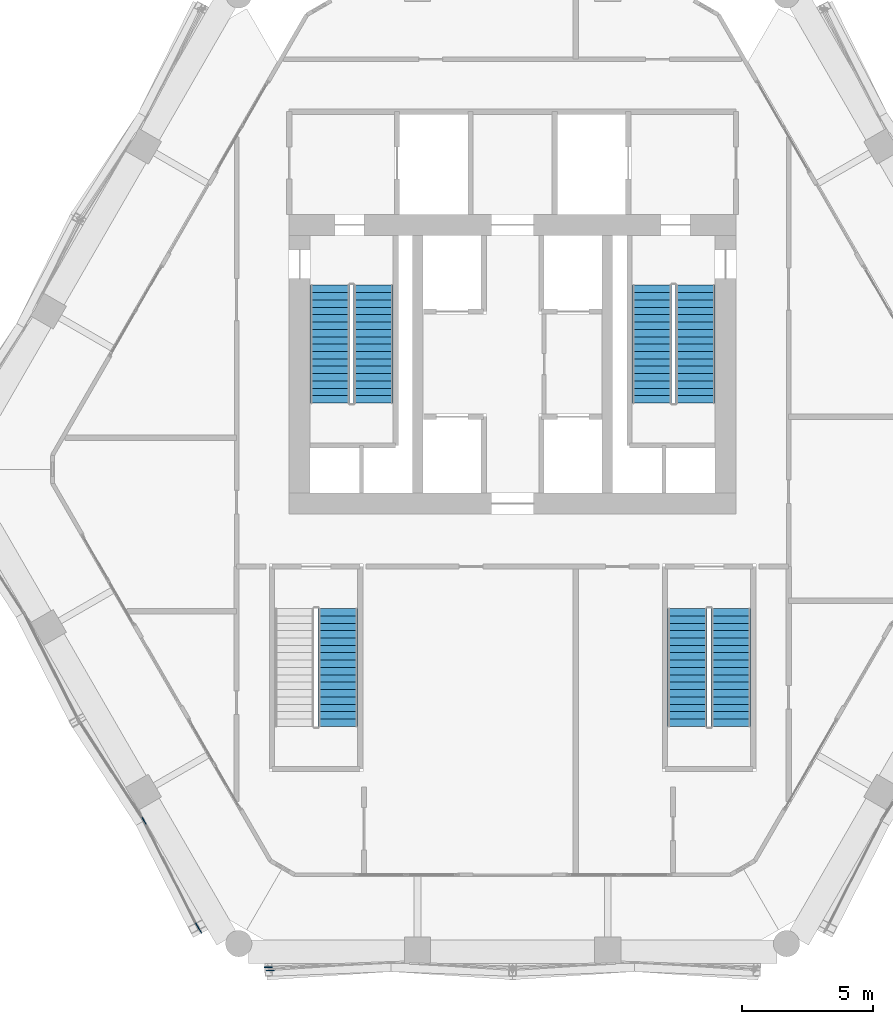
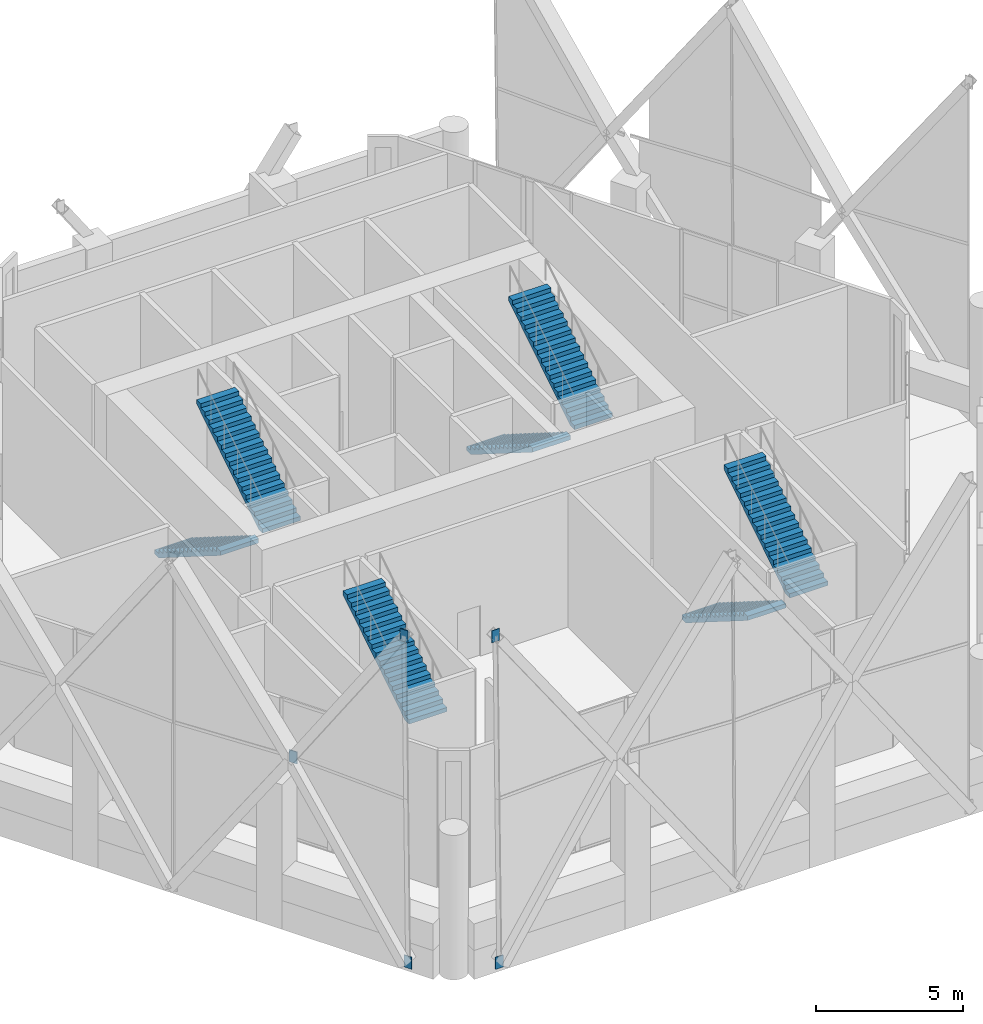
# One storey, part 38 of 43: 7 stair flights, 5 discrete accessories, 4 elements without a shape of their own.
"""IFC4 building model written with IfcOpenShell, lengths in metres."""

from ifc_helpers import new_model, si_unit, direction, frame, origin, origin_2d, place, context, subcontext, project, spatial, polyline, rectangle, outline, extrude, material, layer, layer_set, type_object, element, aggregate, save


model = new_model("IFC4")

# Units and contexts
model_context = context("Model", 3, precision=1e-05, world=origin(), true_north=direction((0.0, 1.0)))
body_context = subcontext(model_context, "Body", "Model", "MODEL_VIEW")
ifc_project = project(units=[si_unit("LENGTHUNIT", "METRE"), si_unit("AREAUNIT", "SQUARE_METRE"), si_unit("VOLUMEUNIT", "CUBIC_METRE"), si_unit("PLANEANGLEUNIT", "RADIAN"), si_unit("MASSUNIT", "GRAM", prefix="KILO")], contexts=[model_context])

# Site, building, storey
site_placement = place(None, origin())
site = spatial("IfcSite", under=ifc_project, at=site_placement, CompositionType="ELEMENT")
building_placement = place(site_placement, origin())
building = spatial("IfcBuilding", under=site, at=building_placement, Name="Ostrander Bayou Hotel Tower", CompositionType="ELEMENT")
storey_placement = place(building_placement, frame((0.0, 0.0, 151.0)))
storey = spatial("IfcBuildingStorey", under=building, at=storey_placement, Name="L37", CompositionType="ELEMENT", Elevation=151.0)

# Stair, stair flights
ifc_material_1 = material(Name="Concrete f'c 45 MPa", Category="concrete")
stair_type = type_object("IfcStairType", Name="ST1 exit stair 1500 mm f'c 45 MPa", PredefinedType="HALF_TURN_STAIR", material=ifc_material_1)
stair_1_placement = place(storey_placement, origin())
stair_1 = element("IfcStair", 1, at=stair_1_placement, inside=storey, type_object=stair_type, Name="L37 exit stair A", PredefinedType="HALF_TURN_STAIR")
ifc_material_2 = material(Name="Concrete f'c 45 MPa", Category="concrete")
stair_flight_type = type_object("IfcStairFlightType", Name="SF1 stair flight 1500 mm f'c 45 MPa", PredefinedType="STRAIGHT", material=ifc_material_2)
stair_flight_1_placement = place(storey_placement, frame((-6.949951171875, 7.0, 0.0), z_axis=(0.0, 0.0, 1.0), x_axis=(0.0, -1.0, 0.0)))
stair_flight_1 = element("IfcStairFlight", 2, at=stair_flight_1_placement, type_object=stair_flight_type, Name="STA flight 1", NumberOfRisers=17, NumberOfTreads=16, PredefinedType="STRAIGHT", RiserHeight=0.176470588, TreadLength=0.28, context=body_context, shape_type="SweptSolid", body=[
    extrude(outline(polyline([(0.0, 0.0), (0.0, 0.176513671875), (0.280029296875, 0.176513671875), (0.280029296875, 0.35302734375), (0.56005859375, 0.35302734375), (0.56005859375, 0.529296875), (0.840087890625, 0.529296875), (0.840087890625, 0.705810546875), (1.1201171875, 0.705810546875), (1.1201171875, 0.88232421875), (1.39990234375, 0.88232421875), (1.39990234375, 1.058837890625), (1.679931640625, 1.058837890625), (1.679931640625, 1.2353515625), (1.9599609375, 1.2353515625), (1.9599609375, 1.411865234375), (2.239990234375, 1.411865234375), (2.239990234375, 1.588134765625), (2.52001953125, 1.588134765625), (2.52001953125, 1.7646484375), (2.800048828125, 1.7646484375), (2.800048828125, 1.941162109375), (3.080078125, 1.941162109375), (3.080078125, 2.11767578125), (3.360107421875, 2.11767578125), (3.360107421875, 2.294189453125), (3.639892578125, 2.294189453125), (3.639892578125, 2.470703125), (3.919921875, 2.470703125), (3.919921875, 2.64697265625), (4.199951171875, 2.64697265625), (4.199951171875, 2.823486328125), (4.47998046875, 2.823486328125), (4.47998046875, 3.0), (4.47998046875, 2.646240234375), (0.28125, 0.0), (0.0, 0.0)])), frame((0.0, 0.75, 0.0), z_axis=(0.0, -1.0, 0.0), x_axis=(1.0, 0.0, 0.0)), (0.0, 0.0, 1.0), 1.5),
])
stair_flight_2_placement = place(storey_placement, frame((-5.300048828125, 2.52001953125, 3.0), z_axis=(0.0, 0.0, 1.0), x_axis=(0.0, 1.0, 0.0)))
stair_flight_2 = element("IfcStairFlight", 3, at=stair_flight_2_placement, type_object=stair_flight_type, Name="STA flight 2", NumberOfRisers=17, NumberOfTreads=16, PredefinedType="STRAIGHT", RiserHeight=0.176470588, TreadLength=0.28, context=body_context, shape_type="SweptSolid", body=[
    extrude(outline(polyline([(0.0, 0.0), (0.0, 0.176513671875), (0.280029296875, 0.176513671875), (0.280029296875, 0.35302734375), (0.56005859375, 0.35302734375), (0.56005859375, 0.529296875), (0.840087890625, 0.529296875), (0.840087890625, 0.705810546875), (1.1201171875, 0.705810546875), (1.1201171875, 0.88232421875), (1.39990234375, 0.88232421875), (1.39990234375, 1.058837890625), (1.679931640625, 1.058837890625), (1.679931640625, 1.2353515625), (1.9599609375, 1.2353515625), (1.9599609375, 1.411865234375), (2.239990234375, 1.411865234375), (2.239990234375, 1.588134765625), (2.52001953125, 1.588134765625), (2.52001953125, 1.7646484375), (2.800048828125, 1.7646484375), (2.800048828125, 1.941162109375), (3.080078125, 1.941162109375), (3.080078125, 2.11767578125), (3.360107421875, 2.11767578125), (3.360107421875, 2.294189453125), (3.639892578125, 2.294189453125), (3.639892578125, 2.470703125), (3.919921875, 2.470703125), (3.919921875, 2.64697265625), (4.199951171875, 2.64697265625), (4.199951171875, 2.823486328125), (4.47998046875, 2.823486328125), (4.47998046875, 3.0), (4.47998046875, 2.646240234375), (0.28125, 0.0), (0.0, 0.0)])), frame((0.0, 0.75, 0.0), z_axis=(0.0, -1.0, 0.0), x_axis=(1.0, 0.0, 0.0)), (0.0, 0.0, 1.0), 1.5),
])
aggregate(stair_1, [stair_flight_1, stair_flight_2])

stair_2_placement = place(storey_placement, origin())
stair_2 = element("IfcStair", 4, at=stair_2_placement, inside=storey, type_object=stair_type, Name="L37 exit stair B", PredefinedType="HALF_TURN_STAIR")
stair_flight_3_placement = place(storey_placement, frame((5.300048828125, 7.0, 0.0), z_axis=(0.0, 0.0, 1.0), x_axis=(0.0, -1.0, 0.0)))
stair_flight_3 = element("IfcStairFlight", 5, at=stair_flight_3_placement, type_object=stair_flight_type, Name="STB flight 1", NumberOfRisers=17, NumberOfTreads=16, PredefinedType="STRAIGHT", RiserHeight=0.176470588, TreadLength=0.28, context=body_context, shape_type="SweptSolid", body=[
    extrude(outline(polyline([(0.0, 0.0), (0.0, 0.176513671875), (0.280029296875, 0.176513671875), (0.280029296875, 0.35302734375), (0.56005859375, 0.35302734375), (0.56005859375, 0.529296875), (0.840087890625, 0.529296875), (0.840087890625, 0.705810546875), (1.1201171875, 0.705810546875), (1.1201171875, 0.88232421875), (1.39990234375, 0.88232421875), (1.39990234375, 1.058837890625), (1.679931640625, 1.058837890625), (1.679931640625, 1.2353515625), (1.9599609375, 1.2353515625), (1.9599609375, 1.411865234375), (2.239990234375, 1.411865234375), (2.239990234375, 1.588134765625), (2.52001953125, 1.588134765625), (2.52001953125, 1.7646484375), (2.800048828125, 1.7646484375), (2.800048828125, 1.941162109375), (3.080078125, 1.941162109375), (3.080078125, 2.11767578125), (3.360107421875, 2.11767578125), (3.360107421875, 2.294189453125), (3.639892578125, 2.294189453125), (3.639892578125, 2.470703125), (3.919921875, 2.470703125), (3.919921875, 2.64697265625), (4.199951171875, 2.64697265625), (4.199951171875, 2.823486328125), (4.47998046875, 2.823486328125), (4.47998046875, 3.0), (4.47998046875, 2.646240234375), (0.28125, 0.0), (0.0, 0.0)])), frame((0.0, 0.75, 0.0), z_axis=(0.0, -1.0, 0.0), x_axis=(1.0, 0.0, 0.0)), (0.0, 0.0, 1.0), 1.5),
])
stair_flight_4_placement = place(storey_placement, frame((6.949951171875, 2.52001953125, 3.0), z_axis=(0.0, 0.0, 1.0), x_axis=(0.0, 1.0, 0.0)))
stair_flight_4 = element("IfcStairFlight", 6, at=stair_flight_4_placement, type_object=stair_flight_type, Name="STB flight 2", NumberOfRisers=17, NumberOfTreads=16, PredefinedType="STRAIGHT", RiserHeight=0.176470588, TreadLength=0.28, context=body_context, shape_type="SweptSolid", body=[
    extrude(outline(polyline([(0.0, 0.0), (0.0, 0.176513671875), (0.280029296875, 0.176513671875), (0.280029296875, 0.35302734375), (0.56005859375, 0.35302734375), (0.56005859375, 0.529296875), (0.840087890625, 0.529296875), (0.840087890625, 0.705810546875), (1.1201171875, 0.705810546875), (1.1201171875, 0.88232421875), (1.39990234375, 0.88232421875), (1.39990234375, 1.058837890625), (1.679931640625, 1.058837890625), (1.679931640625, 1.2353515625), (1.9599609375, 1.2353515625), (1.9599609375, 1.411865234375), (2.239990234375, 1.411865234375), (2.239990234375, 1.588134765625), (2.52001953125, 1.588134765625), (2.52001953125, 1.7646484375), (2.800048828125, 1.7646484375), (2.800048828125, 1.941162109375), (3.080078125, 1.941162109375), (3.080078125, 2.11767578125), (3.360107421875, 2.11767578125), (3.360107421875, 2.294189453125), (3.639892578125, 2.294189453125), (3.639892578125, 2.470703125), (3.919921875, 2.470703125), (3.919921875, 2.64697265625), (4.199951171875, 2.64697265625), (4.199951171875, 2.823486328125), (4.47998046875, 2.823486328125), (4.47998046875, 3.0), (4.47998046875, 2.646240234375), (0.28125, 0.0), (0.0, 0.0)])), frame((0.0, 0.75, 0.0), z_axis=(0.0, -1.0, 0.0), x_axis=(1.0, 0.0, 0.0)), (0.0, 0.0, 1.0), 1.5),
])
aggregate(stair_2, [stair_flight_3, stair_flight_4])

stair_3_placement = place(storey_placement, origin())
stair_3 = element("IfcStair", 7, at=stair_3_placement, inside=storey, type_object=stair_type, Name="L37 exit stair C", PredefinedType="HALF_TURN_STAIR")
stair_flight_5_placement = place(storey_placement, frame((6.64990234375, -5.300048828125, 0.0), z_axis=(0.0, 0.0, 1.0), x_axis=(0.0, -1.0, 0.0)))
stair_flight_5 = element("IfcStairFlight", 8, at=stair_flight_5_placement, type_object=stair_flight_type, Name="STC flight 1", NumberOfRisers=17, NumberOfTreads=16, PredefinedType="STRAIGHT", RiserHeight=0.176470588, TreadLength=0.28, context=body_context, shape_type="SweptSolid", body=[
    extrude(outline(polyline([(0.0, 0.0), (0.0, 0.176513671875), (0.280029296875, 0.176513671875), (0.280029296875, 0.35302734375), (0.56005859375, 0.35302734375), (0.56005859375, 0.529296875), (0.840087890625, 0.529296875), (0.840087890625, 0.705810546875), (1.1201171875, 0.705810546875), (1.1201171875, 0.88232421875), (1.39990234375, 0.88232421875), (1.39990234375, 1.058837890625), (1.679931640625, 1.058837890625), (1.679931640625, 1.2353515625), (1.9599609375, 1.2353515625), (1.9599609375, 1.411865234375), (2.239990234375, 1.411865234375), (2.239990234375, 1.588134765625), (2.52001953125, 1.588134765625), (2.52001953125, 1.7646484375), (2.800048828125, 1.7646484375), (2.800048828125, 1.941162109375), (3.080078125, 1.941162109375), (3.080078125, 2.11767578125), (3.360107421875, 2.11767578125), (3.360107421875, 2.294189453125), (3.639892578125, 2.294189453125), (3.639892578125, 2.470703125), (3.919921875, 2.470703125), (3.919921875, 2.64697265625), (4.199951171875, 2.64697265625), (4.199951171875, 2.823486328125), (4.47998046875, 2.823486328125), (4.47998046875, 3.0), (4.47998046875, 2.646240234375), (0.28125, 0.0), (0.0, 0.0)])), frame((0.0, 0.75, 0.0), z_axis=(0.0, -1.0, 0.0), x_axis=(1.0, 0.0, 0.0)), (0.0, 0.0, 1.0), 1.5),
])
stair_flight_6_placement = place(storey_placement, frame((8.300048828125, -9.780029296875, 3.0), z_axis=(0.0, 0.0, 1.0), x_axis=(0.0, 1.0, 0.0)))
stair_flight_6 = element("IfcStairFlight", 9, at=stair_flight_6_placement, type_object=stair_flight_type, Name="STC flight 2", NumberOfRisers=17, NumberOfTreads=16, PredefinedType="STRAIGHT", RiserHeight=0.176470588, TreadLength=0.28, context=body_context, shape_type="SweptSolid", body=[
    extrude(outline(polyline([(0.0, 0.0), (0.0, 0.176513671875), (0.280029296875, 0.176513671875), (0.280029296875, 0.35302734375), (0.56005859375, 0.35302734375), (0.56005859375, 0.529296875), (0.840087890625, 0.529296875), (0.840087890625, 0.705810546875), (1.1201171875, 0.705810546875), (1.1201171875, 0.88232421875), (1.39990234375, 0.88232421875), (1.39990234375, 1.058837890625), (1.679931640625, 1.058837890625), (1.679931640625, 1.2353515625), (1.9599609375, 1.2353515625), (1.9599609375, 1.411865234375), (2.239990234375, 1.411865234375), (2.239990234375, 1.588134765625), (2.52001953125, 1.588134765625), (2.52001953125, 1.7646484375), (2.800048828125, 1.7646484375), (2.800048828125, 1.941162109375), (3.080078125, 1.941162109375), (3.080078125, 2.11767578125), (3.360107421875, 2.11767578125), (3.360107421875, 2.294189453125), (3.639892578125, 2.294189453125), (3.639892578125, 2.470703125), (3.919921875, 2.470703125), (3.919921875, 2.64697265625), (4.199951171875, 2.64697265625), (4.199951171875, 2.823486328125), (4.47998046875, 2.823486328125), (4.47998046875, 3.0), (4.47998046875, 2.646240234375), (0.28125, 0.0), (0.0, 0.0)])), frame((0.0, 0.75, 0.0), z_axis=(0.0, -1.0, 0.0), x_axis=(1.0, 0.0, 0.0)), (0.0, 0.0, 1.0), 1.5),
])
aggregate(stair_3, [stair_flight_5, stair_flight_6])

# Stair, stair flight
stair_4_placement = place(storey_placement, origin())
stair_4 = element("IfcStair", 10, at=stair_4_placement, inside=storey, type_object=stair_type, Name="L37 exit stair D", PredefinedType="HALF_TURN_STAIR")
stair_flight_7_placement = place(storey_placement, frame((-6.64990234375, -9.780029296875, 3.0), z_axis=(0.0, 0.0, 1.0), x_axis=(0.0, 1.0, 0.0)))
stair_flight_7 = element("IfcStairFlight", 11, at=stair_flight_7_placement, type_object=stair_flight_type, Name="STD flight 2", NumberOfRisers=17, NumberOfTreads=16, PredefinedType="STRAIGHT", RiserHeight=0.176470588, TreadLength=0.28, context=body_context, shape_type="SweptSolid", body=[
    extrude(outline(polyline([(0.0, 0.0), (0.0, 0.176513671875), (0.280029296875, 0.176513671875), (0.280029296875, 0.35302734375), (0.56005859375, 0.35302734375), (0.56005859375, 0.529296875), (0.840087890625, 0.529296875), (0.840087890625, 0.705810546875), (1.1201171875, 0.705810546875), (1.1201171875, 0.88232421875), (1.39990234375, 0.88232421875), (1.39990234375, 1.058837890625), (1.679931640625, 1.058837890625), (1.679931640625, 1.2353515625), (1.9599609375, 1.2353515625), (1.9599609375, 1.411865234375), (2.239990234375, 1.411865234375), (2.239990234375, 1.588134765625), (2.52001953125, 1.588134765625), (2.52001953125, 1.7646484375), (2.800048828125, 1.7646484375), (2.800048828125, 1.941162109375), (3.080078125, 1.941162109375), (3.080078125, 2.11767578125), (3.360107421875, 2.11767578125), (3.360107421875, 2.294189453125), (3.639892578125, 2.294189453125), (3.639892578125, 2.470703125), (3.919921875, 2.470703125), (3.919921875, 2.64697265625), (4.199951171875, 2.64697265625), (4.199951171875, 2.823486328125), (4.47998046875, 2.823486328125), (4.47998046875, 3.0), (4.47998046875, 2.646240234375), (0.28125, 0.0), (0.0, 0.0)])), frame((0.0, 0.75, 0.0), z_axis=(0.0, -1.0, 0.0), x_axis=(1.0, 0.0, 0.0)), (0.0, 0.0, 1.0), 1.5),
])
aggregate(stair_4, [stair_flight_7])

# Discrete accessories
ifc_material_3 = material(Name="Steel ASTM A572 Gr 50", Category="steel")
ifc_layer = layer(ifc_material_3, 0.030029296875)
ifc_layer_set = layer_set([ifc_layer], Name="GP1 gusset plate 30 mm")
discrete_accessory_type = type_object("IfcDiscreteAccessoryType", Name="GP1 gusset plate 30 mm", PredefinedType="BRACKET", material=ifc_layer_set)
for number, where, z_axis, x_axis, name in (
    (12, (-14.020263671875, -13.373291015625, 5.89990234375), (0.0, 0.0, 1.0), (0.5, -0.866025403784, 0.0), "GP1 gusset plate lat 224"),
    (13, (-11.90576171875, -17.5185546875, -0.85009765625), (0.0, 0.0, 1.0), (0.5, -0.866025403784, 0.0), "GP1 gusset plate lat 225"),
    (14, (-11.9814453125, -17.3876953125, 12.64990234375), (0.0, 0.0, 1.0), (0.5, -0.866025403784, 0.0), "GP1 gusset plate lat 226"),
    (15, (-9.218505859375, -19.070068359375, -0.85009765625), (0.0, 0.0, 1.0), (1.0, 0.0, 0.0), "GP1 gusset plate lat 228"),
    (16, (-9.294189453125, -18.939208984375, 12.64990234375), (0.0, 0.0, 1.0), (1.0, 0.0, 0.0), "GP1 gusset plate lat 229"),
):
    element("IfcDiscreteAccessory", number, at=place(storey_placement, frame(where, z_axis=z_axis, x_axis=x_axis)), inside=storey, type_object=discrete_accessory_type, Name=name, PredefinedType="BRACKET", context=body_context, shape_type="SweptSolid", body=[
        extrude(rectangle(XDim=0.300048828125, YDim=0.030029296875, at=origin_2d()), origin(), (0.0, 0.0, 1.0), 0.5),
    ])

save(model, "model.ifc")
